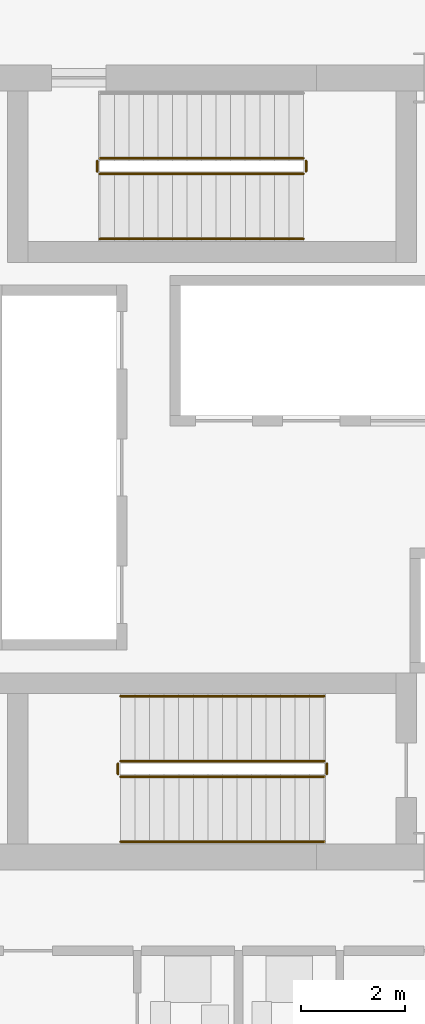
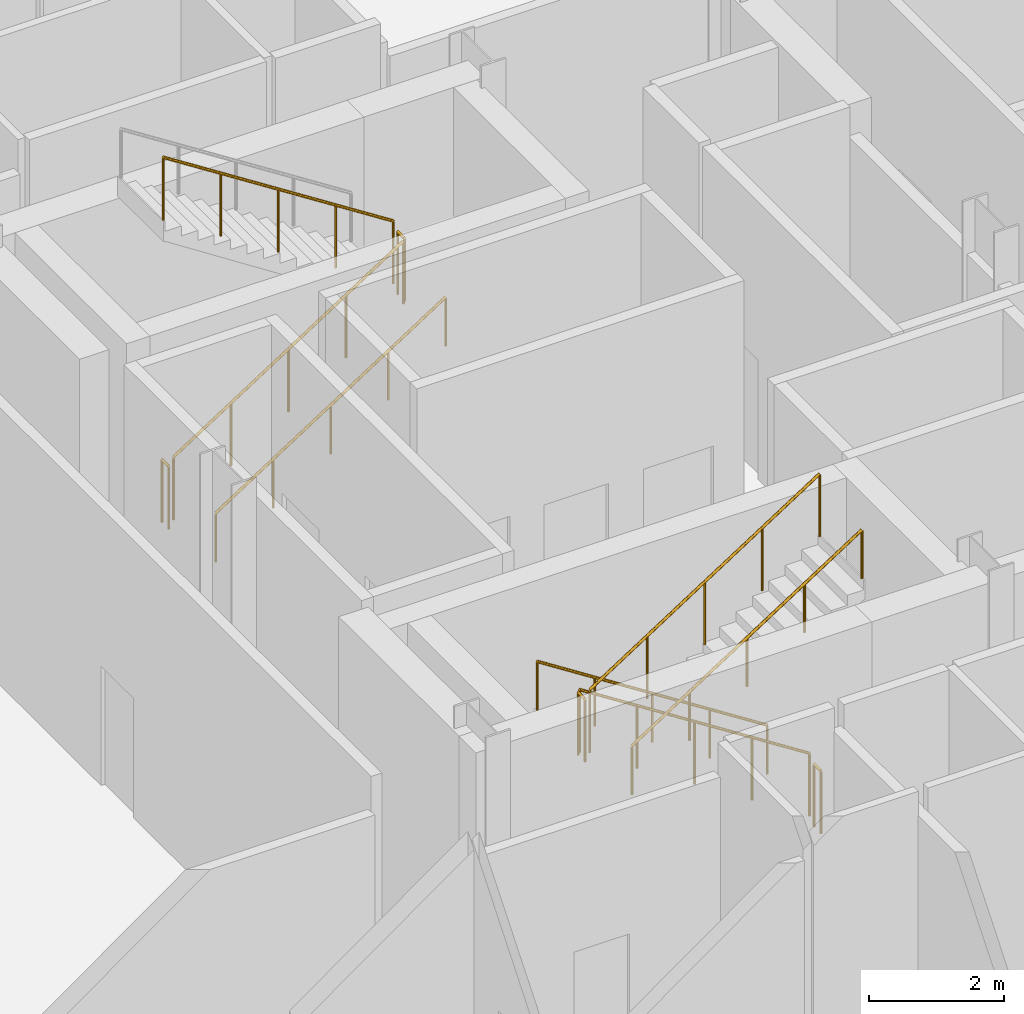
# One storey, part 23 of 25: 11 railings.
"""IFC4 building model written with IfcOpenShell, lengths in metres."""

from ifc_helpers import new_model, si_unit, direction, frame, origin, origin_2d, place, context, subcontext, project, spatial, circle, extrude, material, type_object, element, save


model = new_model("IFC4")

# Units and contexts
model_context = context("Model", 3, precision=1e-05, world=origin(), true_north=direction((0.0, 1.0)))
body_context = subcontext(model_context, "Body", "Model", "MODEL_VIEW")
ifc_project = project(units=[si_unit("LENGTHUNIT", "METRE"), si_unit("AREAUNIT", "SQUARE_METRE"), si_unit("VOLUMEUNIT", "CUBIC_METRE"), si_unit("PLANEANGLEUNIT", "RADIAN"), si_unit("MASSUNIT", "GRAM", prefix="KILO")], contexts=[model_context])

# Site, building, storey
site_placement = place(None, origin())
site = spatial("IfcSite", under=ifc_project, at=site_placement, CompositionType="ELEMENT")
building_placement = place(site_placement, origin())
building = spatial("IfcBuilding", under=site, at=building_placement, Name="Barlavira Tower and Art Museum", CompositionType="ELEMENT")
storey_placement = place(building_placement, frame((0.0, 0.0, 22.199951171875)))
storey = spatial("IfcBuildingStorey", under=building, at=storey_placement, Name="L04", CompositionType="ELEMENT", Elevation=22.199951171875)

# Railings
ifc_material = material(Name="Brushed stainless steel", Category="steel")
railing_type_1 = type_object("IfcRailingType", Name="Interior Void and Landing Guard Railing 1150", PredefinedType="GUARDRAIL", material=ifc_material)
railing_1_placement = place(storey_placement, frame((0.14990234375, -5.64990234375, 0.179931640625)))
element("IfcRailing", 1, at=railing_1_placement, inside=storey, type_object=railing_type_1, Name="L04 ST-T1 stair guard 1", PredefinedType="GUARDRAIL", context=body_context, shape_type="SweptSolid", body=[
    extrude(circle(Radius=0.02392578125, at=origin_2d()), frame((0.0, 0.0, 1.1259765625), z_axis=(-0.841171666519, 0.0, 0.540768182723), x_axis=(0.0, -1.0, 0.0)), (0.0, 0.0, 1.0), 4.66015625),
    extrude(circle(Radius=0.02099609375, at=origin_2d()), origin(), (0.0, 0.0, 1.0), 1.101806640625),
    extrude(circle(Radius=0.02099609375, at=origin_2d()), frame((-0.97998046875, 0.0, 0.6298828125)), (0.0, 0.0, 1.0), 1.101806640625),
    extrude(circle(Radius=0.02099609375, at=origin_2d()), frame((-1.9599609375, 0.0, 1.260009765625)), (0.0, 0.0, 1.0), 1.101806640625),
    extrude(circle(Radius=0.02099609375, at=origin_2d()), frame((-2.93994140625, 0.0, 1.89013671875)), (0.0, 0.0, 1.0), 1.101806640625),
    extrude(circle(Radius=0.02099609375, at=origin_2d()), frame((-3.919921875, 0.0, 2.52001953125)), (0.0, 0.0, 1.0), 1.101806640625),
])
railing_2_placement = place(storey_placement, frame((-3.820068359375, -5.699951171875, 2.699951171875)))
element("IfcRailing", 2, at=railing_2_placement, inside=storey, type_object=railing_type_1, Name="L04 ST-T1 stair guard 2", PredefinedType="GUARDRAIL", context=body_context, shape_type="SweptSolid", body=[
    extrude(circle(Radius=0.02392578125, at=origin_2d()), frame((0.0, 0.0, 1.1259765625), z_axis=(0.0, -1.0, 0.0), x_axis=(1.0, 0.0, 0.0)), (0.0, 0.0, 1.0), 0.199951171875),
    extrude(circle(Radius=0.02099609375, at=origin_2d()), origin(), (0.0, 0.0, 1.0), 1.101806640625),
    extrude(circle(Radius=0.02099609375, at=origin_2d()), frame((0.0, -0.199951171875, 0.0)), (0.0, 0.0, 1.0), 1.101806640625),
])
railing_3_placement = place(storey_placement, frame((-3.77001953125, -5.949951171875, 2.880126953125)))
element("IfcRailing", 3, at=railing_3_placement, inside=storey, type_object=railing_type_1, Name="L04 ST-T1 stair guard 3", PredefinedType="GUARDRAIL", context=body_context, shape_type="SweptSolid", body=[
    extrude(circle(Radius=0.02392578125, at=origin_2d()), frame((0.0, 0.0, 1.1259765625), z_axis=(0.841171666519, 0.0, 0.540768182723), x_axis=(0.0, 1.0, 0.0)), (0.0, 0.0, 1.0), 4.66015625),
    extrude(circle(Radius=0.02099609375, at=origin_2d()), origin(), (0.0, 0.0, 1.0), 1.101806640625),
    extrude(circle(Radius=0.02099609375, at=origin_2d()), frame((0.97998046875, 0.0, 0.6298828125)), (0.0, 0.0, 1.0), 1.101806640625),
    extrude(circle(Radius=0.02099609375, at=origin_2d()), frame((1.9599609375, 0.0, 1.260009765625)), (0.0, 0.0, 1.0), 1.101806640625),
    extrude(circle(Radius=0.02099609375, at=origin_2d()), frame((2.93994140625, 0.0, 1.89013671875)), (0.0, 0.0, 1.0), 1.101806640625),
    extrude(circle(Radius=0.02099609375, at=origin_2d()), frame((3.919921875, 0.0, 2.52001953125)), (0.0, 0.0, 1.0), 1.101806640625),
])
railing_4_placement = place(storey_placement, frame((0.199951171875, -5.699951171875, 0.0)))
element("IfcRailing", 4, at=railing_4_placement, inside=storey, type_object=railing_type_1, Name="L04 ST-T1 stair guard 4", PredefinedType="GUARDRAIL", context=body_context, shape_type="SweptSolid", body=[
    extrude(circle(Radius=0.02392578125, at=origin_2d()), frame((0.0, 0.0, 1.1259765625), z_axis=(0.0, -1.0, 0.0), x_axis=(1.0, 0.0, 0.0)), (0.0, 0.0, 1.0), 0.199951171875),
    extrude(circle(Radius=0.02099609375, at=origin_2d()), origin(), (0.0, 0.0, 1.0), 1.101806640625),
    extrude(circle(Radius=0.02099609375, at=origin_2d()), frame((0.0, -0.199951171875, 0.0)), (0.0, 0.0, 1.0), 1.101806640625),
])
railing_5_placement = place(storey_placement, frame((-4.169921875, 5.64990234375, 0.179931640625)))
element("IfcRailing", 5, at=railing_5_placement, inside=storey, type_object=railing_type_1, Name="L04 ST-T2 stair guard 1", PredefinedType="GUARDRAIL", context=body_context, shape_type="SweptSolid", body=[
    extrude(circle(Radius=0.02392578125, at=origin_2d()), frame((0.0, 0.0, 1.1259765625), z_axis=(0.841171666519, 0.0, 0.540768182723), x_axis=(0.0, 1.0, 0.0)), (0.0, 0.0, 1.0), 4.66015625),
    extrude(circle(Radius=0.02099609375, at=origin_2d()), origin(), (0.0, 0.0, 1.0), 1.101806640625),
    extrude(circle(Radius=0.02099609375, at=origin_2d()), frame((0.97998046875, 0.0, 0.6298828125)), (0.0, 0.0, 1.0), 1.101806640625),
    extrude(circle(Radius=0.02099609375, at=origin_2d()), frame((1.9599609375, 0.0, 1.260009765625)), (0.0, 0.0, 1.0), 1.101806640625),
    extrude(circle(Radius=0.02099609375, at=origin_2d()), frame((2.93994140625, 0.0, 1.89013671875)), (0.0, 0.0, 1.0), 1.101806640625),
    extrude(circle(Radius=0.02099609375, at=origin_2d()), frame((3.919921875, 0.0, 2.52001953125)), (0.0, 0.0, 1.0), 1.101806640625),
])
railing_6_placement = place(storey_placement, frame((-0.199951171875, 5.699951171875, 2.699951171875)))
element("IfcRailing", 6, at=railing_6_placement, inside=storey, type_object=railing_type_1, Name="L04 ST-T2 stair guard 2", PredefinedType="GUARDRAIL", context=body_context, shape_type="SweptSolid", body=[
    extrude(circle(Radius=0.02392578125, at=origin_2d()), frame((0.0, 0.0, 1.1259765625), z_axis=(0.0, 1.0, 0.0), x_axis=(-1.0, 0.0, 0.0)), (0.0, 0.0, 1.0), 0.199951171875),
    extrude(circle(Radius=0.02099609375, at=origin_2d()), origin(), (0.0, 0.0, 1.0), 1.101806640625),
    extrude(circle(Radius=0.02099609375, at=origin_2d()), frame((0.0, 0.199951171875, 0.0)), (0.0, 0.0, 1.0), 1.101806640625),
])
railing_7_placement = place(storey_placement, frame((-0.25, 5.949951171875, 2.880126953125)))
element("IfcRailing", 7, at=railing_7_placement, inside=storey, type_object=railing_type_1, Name="L04 ST-T2 stair guard 3", PredefinedType="GUARDRAIL", context=body_context, shape_type="SweptSolid", body=[
    extrude(circle(Radius=0.02392578125, at=origin_2d()), frame((0.0, 0.0, 1.1259765625), z_axis=(-0.841171666519, 0.0, 0.540768182723), x_axis=(0.0, -1.0, 0.0)), (0.0, 0.0, 1.0), 4.66015625),
    extrude(circle(Radius=0.02099609375, at=origin_2d()), origin(), (0.0, 0.0, 1.0), 1.101806640625),
    extrude(circle(Radius=0.02099609375, at=origin_2d()), frame((-0.97998046875, 0.0, 0.6298828125)), (0.0, 0.0, 1.0), 1.101806640625),
    extrude(circle(Radius=0.02099609375, at=origin_2d()), frame((-1.9599609375, 0.0, 1.260009765625)), (0.0, 0.0, 1.0), 1.101806640625),
    extrude(circle(Radius=0.02099609375, at=origin_2d()), frame((-2.93994140625, 0.0, 1.89013671875)), (0.0, 0.0, 1.0), 1.101806640625),
    extrude(circle(Radius=0.02099609375, at=origin_2d()), frame((-3.919921875, 0.0, 2.52001953125)), (0.0, 0.0, 1.0), 1.101806640625),
])
railing_8_placement = place(storey_placement, frame((-4.219970703125, 5.699951171875, 0.0)))
element("IfcRailing", 8, at=railing_8_placement, inside=storey, type_object=railing_type_1, Name="L04 ST-T2 stair guard 4", PredefinedType="GUARDRAIL", context=body_context, shape_type="SweptSolid", body=[
    extrude(circle(Radius=0.02392578125, at=origin_2d()), frame((0.0, 0.0, 1.1259765625), z_axis=(0.0, 1.0, 0.0), x_axis=(-1.0, 0.0, 0.0)), (0.0, 0.0, 1.0), 0.199951171875),
    extrude(circle(Radius=0.02099609375, at=origin_2d()), origin(), (0.0, 0.0, 1.0), 1.101806640625),
    extrude(circle(Radius=0.02099609375, at=origin_2d()), frame((0.0, 0.199951171875, 0.0)), (0.0, 0.0, 1.0), 1.101806640625),
])
railing_type_2 = type_object("IfcRailingType", Name="Stair Pitch Tubular Steel Handrail 920", PredefinedType="HANDRAIL", material=ifc_material)
railing_9_placement = place(storey_placement, frame((0.14990234375, -4.39990234375, 0.179931640625)))
element("IfcRailing", 9, at=railing_9_placement, inside=storey, type_object=railing_type_2, Name="L04 ST-T1 stair handrail 1", PredefinedType="HANDRAIL", context=body_context, shape_type="SweptSolid", body=[
    extrude(circle(Radius=0.02392578125, at=origin_2d()), frame((0.0, 0.0, 0.8759765625), z_axis=(-0.841171666519, 0.0, 0.540768182723), x_axis=(0.0, -1.0, 0.0)), (0.0, 0.0, 1.0), 4.66015625),
    extrude(circle(Radius=0.02099609375, at=origin_2d()), origin(), (0.0, 0.0, 1.0), 0.851806640625),
    extrude(circle(Radius=0.02099609375, at=origin_2d()), frame((-0.97998046875, 0.0, 0.6298828125)), (0.0, 0.0, 1.0), 0.851806640625),
    extrude(circle(Radius=0.02099609375, at=origin_2d()), frame((-1.9599609375, 0.0, 1.260009765625)), (0.0, 0.0, 1.0), 0.851806640625),
    extrude(circle(Radius=0.02099609375, at=origin_2d()), frame((-2.93994140625, 0.0, 1.89013671875)), (0.0, 0.0, 1.0), 0.851806640625),
    extrude(circle(Radius=0.02099609375, at=origin_2d()), frame((-3.919921875, 0.0, 2.52001953125)), (0.0, 0.0, 1.0), 0.851806640625),
])
for number, where, name in (
    (10, (-3.77001953125, -7.199951171875, 2.880126953125), "L04 ST-T1 stair handrail 2"),
    (11, (-4.169921875, 4.39990234375, 0.179931640625), "L04 ST-T2 stair handrail 1"),
):
    element("IfcRailing", number, at=place(storey_placement, frame(where)), inside=storey, type_object=railing_type_2, Name=name, PredefinedType="HANDRAIL", context=body_context, shape_type="SweptSolid", body=[
        extrude(circle(Radius=0.02392578125, at=origin_2d()), frame((0.0, 0.0, 0.8759765625), z_axis=(0.841171666519, 0.0, 0.540768182723), x_axis=(0.0, 1.0, 0.0)), (0.0, 0.0, 1.0), 4.66015625),
        extrude(circle(Radius=0.02099609375, at=origin_2d()), origin(), (0.0, 0.0, 1.0), 0.851806640625),
        extrude(circle(Radius=0.02099609375, at=origin_2d()), frame((0.97998046875, 0.0, 0.6298828125)), (0.0, 0.0, 1.0), 0.851806640625),
        extrude(circle(Radius=0.02099609375, at=origin_2d()), frame((1.9599609375, 0.0, 1.260009765625)), (0.0, 0.0, 1.0), 0.851806640625),
        extrude(circle(Radius=0.02099609375, at=origin_2d()), frame((2.93994140625, 0.0, 1.89013671875)), (0.0, 0.0, 1.0), 0.851806640625),
        extrude(circle(Radius=0.02099609375, at=origin_2d()), frame((3.919921875, 0.0, 2.52001953125)), (0.0, 0.0, 1.0), 0.851806640625),
    ])

save(model, "model.ifc")
